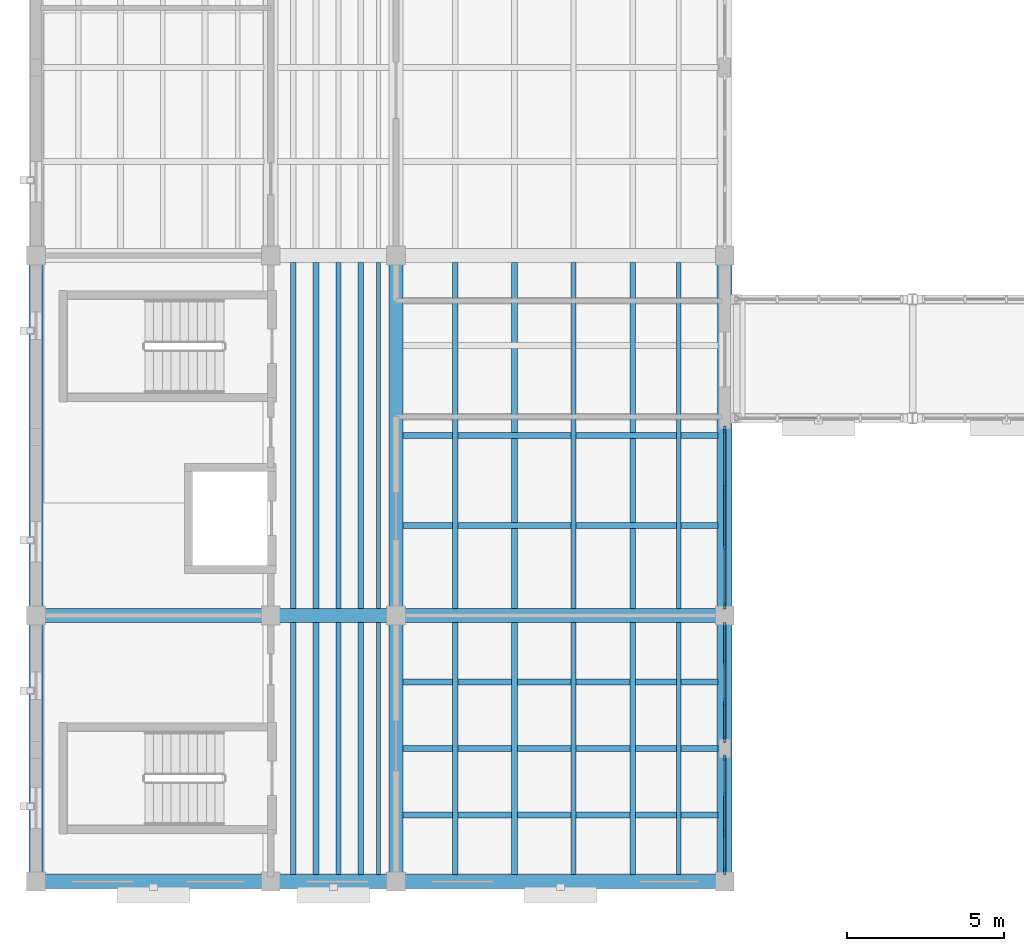
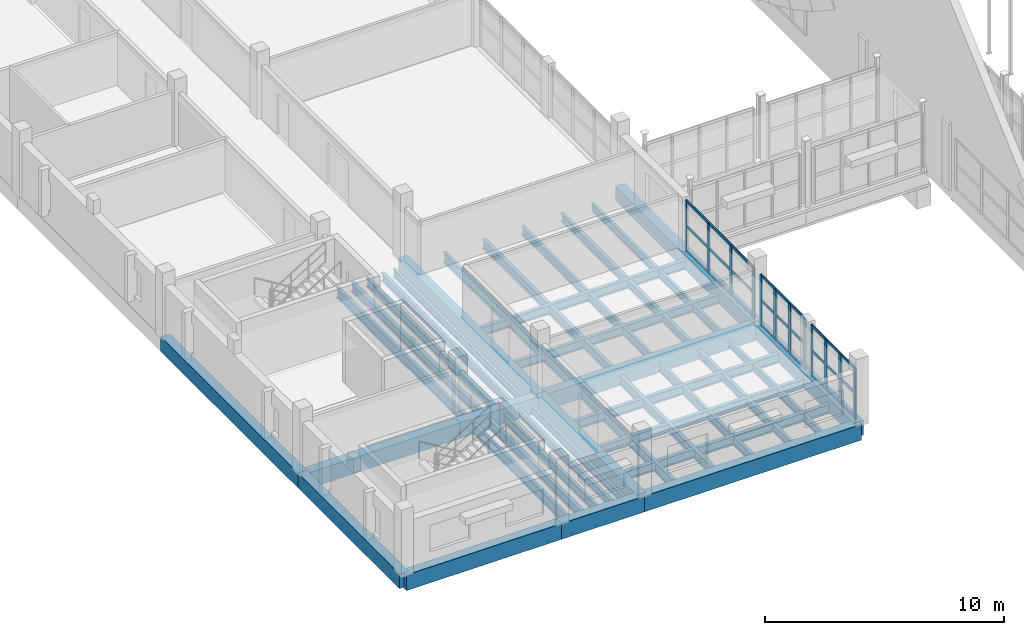
# One storey, part 10 of 77: 37 beams, 21 members, 3 elements without a shape of their own.
"""IFC4 building model written with IfcOpenShell, lengths in metres."""

from ifc_helpers import new_model, si_unit, direction, frame, origin, origin_2d, place, context, subcontext, project, spatial, rectangle, i_section, extrude, material, layer, layer_set, material_profile, profile_set, type_object, element, aggregate, save


model = new_model("IFC4")

# Units and contexts
model_context = context("Model", 3, precision=1e-05, world=origin(), true_north=direction((0.0, 1.0)))
body_context = subcontext(model_context, "Body", "Model", "MODEL_VIEW")
ifc_project = project(units=[si_unit("LENGTHUNIT", "METRE"), si_unit("AREAUNIT", "SQUARE_METRE"), si_unit("VOLUMEUNIT", "CUBIC_METRE"), si_unit("PLANEANGLEUNIT", "RADIAN"), si_unit("MASSUNIT", "GRAM", prefix="KILO")], contexts=[model_context])

# Site, building, storey
site_placement = place(None, origin())
site = spatial("IfcSite", under=ifc_project, at=site_placement, CompositionType="ELEMENT")
building_placement = place(site_placement, origin())
building = spatial("IfcBuilding", under=site, at=building_placement, Name="Trellovar Central Fire Station", CompositionType="ELEMENT")
storey_placement = place(building_placement, frame((0.0, 0.0, 5.85009765625)))
storey = spatial("IfcBuildingStorey", under=building, at=storey_placement, Name="L02", CompositionType="ELEMENT", Elevation=5.85009765625)

# Beams
ifc_material_1 = material(Name="Concrete C40/50", Category="concrete")
ifc_material_profile_1 = material_profile(ifc_material_1, rectangle(XDim=0.449951171875, YDim=0.800048828125, at=origin_2d()), Name="RC450X800")
ifc_profile_set_1 = profile_set([ifc_material_profile_1], Name="Concrete C40/50")
beam_type_1 = type_object("IfcBeamType", Name="BM-G1", PredefinedType="BEAM", material=ifc_profile_set_1)
beam_1_placement = place(storey_placement, frame((1.0, 9.0, -0.400146484375), z_axis=(1.0, 0.0, 0.0), x_axis=(0.0, 1.0, 0.0)))
element("IfcBeam", 1, at=beam_1_placement, inside=storey, type_object=beam_type_1, Name="L02 beam G-1", PredefinedType="BEAM", context=body_context, shape_type="SweptSolid", body=[
    extrude(rectangle(XDim=0.449951171875, YDim=0.800048828125, at=origin_2d()), origin(), (0.0, 0.0, 1.0), 7.5),
])
beam_2_placement = place(storey_placement, frame((8.5, 9.0, -0.400146484375), z_axis=(1.0, 0.0, 0.0), x_axis=(0.0, 1.0, 0.0)))
element("IfcBeam", 2, at=beam_2_placement, inside=storey, type_object=beam_type_1, Name="L02 beam G-1", PredefinedType="BEAM", context=body_context, shape_type="SweptSolid", body=[
    extrude(rectangle(XDim=0.449951171875, YDim=0.800048828125, at=origin_2d()), origin(), (0.0, 0.0, 1.0), 4.0),
])
beam_3_placement = place(storey_placement, frame((12.5, 9.0, -0.400146484375), z_axis=(1.0, 0.0, 0.0), x_axis=(0.0, 1.0, 0.0)))
element("IfcBeam", 3, at=beam_3_placement, inside=storey, type_object=beam_type_1, Name="L02 beam G-1", PredefinedType="BEAM", context=body_context, shape_type="SweptSolid", body=[
    extrude(rectangle(XDim=0.449951171875, YDim=0.800048828125, at=origin_2d()), origin(), (0.0, 0.0, 1.0), 10.5),
])
beam_4_placement = place(storey_placement, frame((1.0, 17.5, -0.400146484375), z_axis=(1.0, 0.0, 0.0), x_axis=(0.0, 1.0, 0.0)))
element("IfcBeam", 4, at=beam_4_placement, inside=storey, type_object=beam_type_1, Name="L02 beam G-1", PredefinedType="BEAM", context=body_context, shape_type="SweptSolid", body=[
    extrude(rectangle(XDim=0.449951171875, YDim=0.800048828125, at=origin_2d()), origin(), (0.0, 0.0, 1.0), 7.5),
])
beam_5_placement = place(storey_placement, frame((8.5, 17.5, -0.400146484375), z_axis=(1.0, 0.0, 0.0), x_axis=(0.0, 1.0, 0.0)))
element("IfcBeam", 5, at=beam_5_placement, inside=storey, type_object=beam_type_1, Name="L02 beam G-1", PredefinedType="BEAM", context=body_context, shape_type="SweptSolid", body=[
    extrude(rectangle(XDim=0.449951171875, YDim=0.800048828125, at=origin_2d()), origin(), (0.0, 0.0, 1.0), 4.0),
])
beam_6_placement = place(storey_placement, frame((12.5, 17.5, -0.400146484375), z_axis=(1.0, 0.0, 0.0), x_axis=(0.0, 1.0, 0.0)))
element("IfcBeam", 6, at=beam_6_placement, inside=storey, type_object=beam_type_1, Name="L02 beam G-1", PredefinedType="BEAM", context=body_context, shape_type="SweptSolid", body=[
    extrude(rectangle(XDim=0.449951171875, YDim=0.800048828125, at=origin_2d()), origin(), (0.0, 0.0, 1.0), 10.5),
])
ifc_material_2 = material(Name="Concrete C40/50", Category="concrete")
ifc_material_profile_2 = material_profile(ifc_material_2, rectangle(XDim=0.449951171875, YDim=0.75, at=origin_2d()), Name="RC450X750")
ifc_profile_set_2 = profile_set([ifc_material_profile_2], Name="Concrete C40/50")
beam_type_2 = type_object("IfcBeamType", Name="BM-G2", PredefinedType="BEAM", material=ifc_profile_set_2)
beam_7_placement = place(storey_placement, frame((1.0, 9.0, -0.375), z_axis=(0.0, 1.0, 0.0), x_axis=(-1.0, 0.0, 0.0)))
element("IfcBeam", 7, at=beam_7_placement, inside=storey, type_object=beam_type_2, Name="L02 beam G-2", PredefinedType="BEAM", context=body_context, shape_type="SweptSolid", body=[
    extrude(rectangle(XDim=0.449951171875, YDim=0.75, at=origin_2d()), origin(), (0.0, 0.0, 1.0), 8.5),
])
beam_8_placement = place(storey_placement, frame((1.0, 17.5, -0.375), z_axis=(0.0, 1.0, 0.0), x_axis=(-1.0, 0.0, 0.0)))
element("IfcBeam", 8, at=beam_8_placement, inside=storey, type_object=beam_type_2, Name="L02 beam G-2", PredefinedType="BEAM", context=body_context, shape_type="SweptSolid", body=[
    extrude(rectangle(XDim=0.449951171875, YDim=0.75, at=origin_2d()), origin(), (0.0, 0.0, 1.0), 11.5),
])
beam_9_placement = place(storey_placement, frame((12.5, 9.0, -0.375), z_axis=(0.0, 1.0, 0.0), x_axis=(-1.0, 0.0, 0.0)))
element("IfcBeam", 9, at=beam_9_placement, inside=storey, type_object=beam_type_2, Name="L02 beam G-2", PredefinedType="BEAM", context=body_context, shape_type="SweptSolid", body=[
    extrude(rectangle(XDim=0.449951171875, YDim=0.75, at=origin_2d()), origin(), (0.0, 0.0, 1.0), 8.5),
])
beam_10_placement = place(storey_placement, frame((12.5, 17.5, -0.375), z_axis=(0.0, 1.0, 0.0), x_axis=(-1.0, 0.0, 0.0)))
element("IfcBeam", 10, at=beam_10_placement, inside=storey, type_object=beam_type_2, Name="L02 beam G-2", PredefinedType="BEAM", context=body_context, shape_type="SweptSolid", body=[
    extrude(rectangle(XDim=0.449951171875, YDim=0.75, at=origin_2d()), origin(), (0.0, 0.0, 1.0), 11.5),
])
beam_11_placement = place(storey_placement, frame((23.0, 9.0, -0.375), z_axis=(0.0, 1.0, 0.0), x_axis=(-1.0, 0.0, 0.0)))
element("IfcBeam", 11, at=beam_11_placement, inside=storey, type_object=beam_type_2, Name="L02 beam G-2", PredefinedType="BEAM", context=body_context, shape_type="SweptSolid", body=[
    extrude(rectangle(XDim=0.449951171875, YDim=0.75, at=origin_2d()), origin(), (0.0, 0.0, 1.0), 8.5),
])
beam_12_placement = place(storey_placement, frame((23.0, 17.5, -0.375), z_axis=(0.0, 1.0, 0.0), x_axis=(-1.0, 0.0, 0.0)))
element("IfcBeam", 12, at=beam_12_placement, inside=storey, type_object=beam_type_2, Name="L02 beam G-2", PredefinedType="BEAM", context=body_context, shape_type="SweptSolid", body=[
    extrude(rectangle(XDim=0.449951171875, YDim=0.75, at=origin_2d()), origin(), (0.0, 0.0, 1.0), 11.5),
])
ifc_material_3 = material(Name="Steel ASTM A992 Grade 50", Category="steel")
ifc_material_profile_3 = material_profile(ifc_material_3, i_section(OverallWidth=0.15283203125, OverallDepth=0.45458984375, WebThickness=0.008056640625, FlangeThickness=0.01318359375, FilletRadius=0.0126953125, at=origin_2d()), Name="W18X40")
ifc_profile_set_3 = profile_set([ifc_material_profile_3], Name="Steel ASTM A992 Grade 50")
beam_type_3 = type_object("IfcBeamType", Name="BM-SW10", PredefinedType="JOIST", material=ifc_profile_set_3)
beam_13_placement = place(storey_placement, frame((10.659912109375, 9.219970703125, -0.487548828125), z_axis=(0.0, 1.0, 0.0), x_axis=(-1.0, 0.0, 0.0)))
element("IfcBeam", 13, at=beam_13_placement, inside=storey, type_object=beam_type_3, Name="L02 secondary steel deck joist", PredefinedType="JOIST", context=body_context, shape_type="SweptSolid", body=[
    extrude(i_section(OverallWidth=0.15283203125, OverallDepth=0.45458984375, WebThickness=0.008056640625, FlangeThickness=0.01318359375, FilletRadius=0.0126953125, at=origin_2d()), origin(), (0.0, 0.0, 1.0), 8.06005859375),
])
beam_14_placement = place(storey_placement, frame((10.659912109375, 17.719970703125, -0.487548828125), z_axis=(0.0, 1.0, 0.0), x_axis=(-1.0, 0.0, 0.0)))
element("IfcBeam", 14, at=beam_14_placement, inside=storey, type_object=beam_type_3, Name="L02 secondary steel deck joist", PredefinedType="JOIST", context=body_context, shape_type="SweptSolid", body=[
    extrude(i_section(OverallWidth=0.15283203125, OverallDepth=0.45458984375, WebThickness=0.008056640625, FlangeThickness=0.01318359375, FilletRadius=0.0126953125, at=origin_2d()), origin(), (0.0, 0.0, 1.0), 11.06005859375),
])
beam_15_placement = place(storey_placement, frame((18.169921875, 9.219970703125, -0.487548828125), z_axis=(0.0, 1.0, 0.0), x_axis=(-1.0, 0.0, 0.0)))
element("IfcBeam", 15, at=beam_15_placement, inside=storey, type_object=beam_type_3, Name="L02 secondary steel deck joist", PredefinedType="JOIST", context=body_context, shape_type="SweptSolid", body=[
    extrude(i_section(OverallWidth=0.15283203125, OverallDepth=0.45458984375, WebThickness=0.008056640625, FlangeThickness=0.01318359375, FilletRadius=0.0126953125, at=origin_2d()), origin(), (0.0, 0.0, 1.0), 8.06005859375),
])
beam_16_placement = place(storey_placement, frame((18.169921875, 17.719970703125, -0.487548828125), z_axis=(0.0, 1.0, 0.0), x_axis=(-1.0, 0.0, 0.0)))
element("IfcBeam", 16, at=beam_16_placement, inside=storey, type_object=beam_type_3, Name="L02 secondary steel deck joist", PredefinedType="JOIST", context=body_context, shape_type="SweptSolid", body=[
    extrude(i_section(OverallWidth=0.15283203125, OverallDepth=0.45458984375, WebThickness=0.008056640625, FlangeThickness=0.01318359375, FilletRadius=0.0126953125, at=origin_2d()), origin(), (0.0, 0.0, 1.0), 11.06005859375),
])
ifc_material_4 = material(Name="Steel ASTM A992 Grade 50", Category="steel")
ifc_material_profile_4 = material_profile(ifc_material_4, i_section(OverallWidth=0.177490234375, OverallDepth=0.40380859375, WebThickness=0.007568359375, FlangeThickness=0.010986328125, FilletRadius=0.011474609375, at=origin_2d()), Name="W16X36")
ifc_profile_set_4 = profile_set([ifc_material_profile_4], Name="Steel ASTM A992 Grade 50")
beam_type_4 = type_object("IfcBeamType", Name="BM-SW11", PredefinedType="JOIST", material=ifc_profile_set_4)
beam_17_placement = place(storey_placement, frame((11.3798828125, 9.219970703125, -0.462158203125), z_axis=(0.0, 1.0, 0.0), x_axis=(-1.0, 0.0, 0.0)))
element("IfcBeam", 17, at=beam_17_placement, inside=storey, type_object=beam_type_4, Name="L02 secondary steel deck joist", PredefinedType="JOIST", context=body_context, shape_type="SweptSolid", body=[
    extrude(i_section(OverallWidth=0.177490234375, OverallDepth=0.40380859375, WebThickness=0.007568359375, FlangeThickness=0.010986328125, FilletRadius=0.011474609375, at=origin_2d()), origin(), (0.0, 0.0, 1.0), 8.06005859375),
])
beam_18_placement = place(storey_placement, frame((11.3798828125, 17.719970703125, -0.462158203125), z_axis=(0.0, 1.0, 0.0), x_axis=(-1.0, 0.0, 0.0)))
element("IfcBeam", 18, at=beam_18_placement, inside=storey, type_object=beam_type_4, Name="L02 secondary steel deck joist", PredefinedType="JOIST", context=body_context, shape_type="SweptSolid", body=[
    extrude(i_section(OverallWidth=0.177490234375, OverallDepth=0.40380859375, WebThickness=0.007568359375, FlangeThickness=0.010986328125, FilletRadius=0.011474609375, at=origin_2d()), origin(), (0.0, 0.0, 1.0), 11.06005859375),
])
beam_19_placement = place(storey_placement, frame((20.06005859375, 9.219970703125, -0.462158203125), z_axis=(0.0, 1.0, 0.0), x_axis=(-1.0, 0.0, 0.0)))
element("IfcBeam", 19, at=beam_19_placement, inside=storey, type_object=beam_type_4, Name="L02 secondary steel deck joist", PredefinedType="JOIST", context=body_context, shape_type="SweptSolid", body=[
    extrude(i_section(OverallWidth=0.177490234375, OverallDepth=0.40380859375, WebThickness=0.007568359375, FlangeThickness=0.010986328125, FilletRadius=0.011474609375, at=origin_2d()), origin(), (0.0, 0.0, 1.0), 8.06005859375),
])
beam_20_placement = place(storey_placement, frame((20.06005859375, 17.719970703125, -0.462158203125), z_axis=(0.0, 1.0, 0.0), x_axis=(-1.0, 0.0, 0.0)))
element("IfcBeam", 20, at=beam_20_placement, inside=storey, type_object=beam_type_4, Name="L02 secondary steel deck joist", PredefinedType="JOIST", context=body_context, shape_type="SweptSolid", body=[
    extrude(i_section(OverallWidth=0.177490234375, OverallDepth=0.40380859375, WebThickness=0.007568359375, FlangeThickness=0.010986328125, FilletRadius=0.011474609375, at=origin_2d()), origin(), (0.0, 0.0, 1.0), 11.06005859375),
])
ifc_material_5 = material(Name="Steel ASTM A992 Grade 50", Category="steel")
ifc_material_profile_5 = material_profile(ifc_material_5, i_section(OverallWidth=0.140380859375, OverallDepth=0.4033203125, WebThickness=0.007080078125, FlangeThickness=0.01123046875, FilletRadius=0.011474609375, at=origin_2d()), Name="W16X31")
ifc_profile_set_5 = profile_set([ifc_material_profile_5], Name="Steel ASTM A992 Grade 50")
beam_type_5 = type_object("IfcBeamType", Name="BM-SW12", PredefinedType="JOIST", material=ifc_profile_set_5)
beam_21_placement = place(storey_placement, frame((11.93994140625, 9.219970703125, -0.4619140625), z_axis=(0.0, 1.0, 0.0), x_axis=(-1.0, 0.0, 0.0)))
element("IfcBeam", 21, at=beam_21_placement, inside=storey, type_object=beam_type_5, Name="L02 secondary steel deck joist", PredefinedType="JOIST", context=body_context, shape_type="SweptSolid", body=[
    extrude(i_section(OverallWidth=0.140380859375, OverallDepth=0.4033203125, WebThickness=0.007080078125, FlangeThickness=0.01123046875, FilletRadius=0.011474609375, at=origin_2d()), origin(), (0.0, 0.0, 1.0), 8.06005859375),
])
beam_22_placement = place(storey_placement, frame((11.93994140625, 17.719970703125, -0.4619140625), z_axis=(0.0, 1.0, 0.0), x_axis=(-1.0, 0.0, 0.0)))
element("IfcBeam", 22, at=beam_22_placement, inside=storey, type_object=beam_type_5, Name="L02 secondary steel deck joist", PredefinedType="JOIST", context=body_context, shape_type="SweptSolid", body=[
    extrude(i_section(OverallWidth=0.140380859375, OverallDepth=0.4033203125, WebThickness=0.007080078125, FlangeThickness=0.01123046875, FilletRadius=0.011474609375, at=origin_2d()), origin(), (0.0, 0.0, 1.0), 11.06005859375),
])
beam_23_placement = place(storey_placement, frame((21.530029296875, 9.219970703125, -0.4619140625), z_axis=(0.0, 1.0, 0.0), x_axis=(-1.0, 0.0, 0.0)))
element("IfcBeam", 23, at=beam_23_placement, inside=storey, type_object=beam_type_5, Name="L02 secondary steel deck joist", PredefinedType="JOIST", context=body_context, shape_type="SweptSolid", body=[
    extrude(i_section(OverallWidth=0.140380859375, OverallDepth=0.4033203125, WebThickness=0.007080078125, FlangeThickness=0.01123046875, FilletRadius=0.011474609375, at=origin_2d()), origin(), (0.0, 0.0, 1.0), 8.06005859375),
])
beam_24_placement = place(storey_placement, frame((21.530029296875, 17.719970703125, -0.4619140625), z_axis=(0.0, 1.0, 0.0), x_axis=(-1.0, 0.0, 0.0)))
element("IfcBeam", 24, at=beam_24_placement, inside=storey, type_object=beam_type_5, Name="L02 secondary steel deck joist", PredefinedType="JOIST", context=body_context, shape_type="SweptSolid", body=[
    extrude(i_section(OverallWidth=0.140380859375, OverallDepth=0.4033203125, WebThickness=0.007080078125, FlangeThickness=0.01123046875, FilletRadius=0.011474609375, at=origin_2d()), origin(), (0.0, 0.0, 1.0), 11.06005859375),
])
ifc_material_6 = material(Name="Steel ASTM A992 Grade 50", Category="steel")
ifc_material_profile_6 = material_profile(ifc_material_6, i_section(OverallWidth=0.166015625, OverallDepth=0.529052734375, WebThickness=0.009765625, FlangeThickness=0.013671875, FilletRadius=0.013916015625, at=origin_2d()), Name="W21X50")
ifc_profile_set_6 = profile_set([ifc_material_profile_6], Name="Steel ASTM A992 Grade 50")
beam_type_6 = type_object("IfcBeamType", Name="BM-SW8", PredefinedType="JOIST", material=ifc_profile_set_6)
beam_25_placement = place(storey_placement, frame((9.219970703125, 9.219970703125, -0.524658203125), z_axis=(0.0, 1.0, 0.0), x_axis=(-1.0, 0.0, 0.0)))
element("IfcBeam", 25, at=beam_25_placement, inside=storey, type_object=beam_type_6, Name="L02 secondary steel deck joist", PredefinedType="JOIST", context=body_context, shape_type="SweptSolid", body=[
    extrude(i_section(OverallWidth=0.166015625, OverallDepth=0.529052734375, WebThickness=0.009765625, FlangeThickness=0.013671875, FilletRadius=0.013916015625, at=origin_2d()), origin(), (0.0, 0.0, 1.0), 8.06005859375),
])
beam_26_placement = place(storey_placement, frame((9.219970703125, 17.719970703125, -0.524658203125), z_axis=(0.0, 1.0, 0.0), x_axis=(-1.0, 0.0, 0.0)))
element("IfcBeam", 26, at=beam_26_placement, inside=storey, type_object=beam_type_6, Name="L02 secondary steel deck joist", PredefinedType="JOIST", context=body_context, shape_type="SweptSolid", body=[
    extrude(i_section(OverallWidth=0.166015625, OverallDepth=0.529052734375, WebThickness=0.009765625, FlangeThickness=0.013671875, FilletRadius=0.013916015625, at=origin_2d()), origin(), (0.0, 0.0, 1.0), 11.06005859375),
])
beam_27_placement = place(storey_placement, frame((14.389892578125, 9.219970703125, -0.524658203125), z_axis=(0.0, 1.0, 0.0), x_axis=(-1.0, 0.0, 0.0)))
element("IfcBeam", 27, at=beam_27_placement, inside=storey, type_object=beam_type_6, Name="L02 secondary steel deck joist", PredefinedType="JOIST", context=body_context, shape_type="SweptSolid", body=[
    extrude(i_section(OverallWidth=0.166015625, OverallDepth=0.529052734375, WebThickness=0.009765625, FlangeThickness=0.013671875, FilletRadius=0.013916015625, at=origin_2d()), origin(), (0.0, 0.0, 1.0), 8.06005859375),
])
beam_28_placement = place(storey_placement, frame((14.389892578125, 17.719970703125, -0.524658203125), z_axis=(0.0, 1.0, 0.0), x_axis=(-1.0, 0.0, 0.0)))
element("IfcBeam", 28, at=beam_28_placement, inside=storey, type_object=beam_type_6, Name="L02 secondary steel deck joist", PredefinedType="JOIST", context=body_context, shape_type="SweptSolid", body=[
    extrude(i_section(OverallWidth=0.166015625, OverallDepth=0.529052734375, WebThickness=0.009765625, FlangeThickness=0.013671875, FilletRadius=0.013916015625, at=origin_2d()), origin(), (0.0, 0.0, 1.0), 11.06005859375),
])
ifc_material_7 = material(Name="Steel ASTM A992 Grade 50", Category="steel")
ifc_material_profile_7 = material_profile(ifc_material_7, i_section(OverallWidth=0.1904296875, OverallDepth=0.457275390625, WebThickness=0.009033203125, FlangeThickness=0.014404296875, FilletRadius=0.0126953125, at=origin_2d()), Name="W18X50")
ifc_profile_set_7 = profile_set([ifc_material_profile_7], Name="Steel ASTM A992 Grade 50")
beam_type_7 = type_object("IfcBeamType", Name="BM-SW9", PredefinedType="JOIST", material=ifc_profile_set_7)
for number, where, z_axis, x_axis, name in (
    (29, (12.719970703125, 11.125, -0.48876953125), (1.0, 0.0, 0.0), (0.0, 1.0, 0.0), "L02 beam SB-9"),
    (30, (12.719970703125, 13.25, -0.48876953125), (1.0, 0.0, 0.0), (0.0, 1.0, 0.0), "L02 beam SB-9"),
    (31, (12.719970703125, 15.375, -0.48876953125), (1.0, 0.0, 0.0), (0.0, 1.0, 0.0), "L02 beam SB-9"),
    (32, (12.719970703125, 20.375, -0.48876953125), (1.0, 0.0, 0.0), (0.0, 1.0, 0.0), "L02 beam SB-9"),
    (33, (12.719970703125, 23.25, -0.48876953125), (1.0, 0.0, 0.0), (0.0, 1.0, 0.0), "L02 beam SB-9"),
):
    element("IfcBeam", number, at=place(storey_placement, frame(where, z_axis=z_axis, x_axis=x_axis)), inside=storey, type_object=beam_type_7, Name=name, PredefinedType="JOIST", context=body_context, shape_type="SweptSolid", body=[
        extrude(i_section(OverallWidth=0.1904296875, OverallDepth=0.457275390625, WebThickness=0.009033203125, FlangeThickness=0.014404296875, FilletRadius=0.0126953125, at=origin_2d()), origin(), (0.0, 0.0, 1.0), 10.06005859375),
    ])
beam_29_placement = place(storey_placement, frame((9.93994140625, 9.219970703125, -0.48876953125), z_axis=(0.0, 1.0, 0.0), x_axis=(-1.0, 0.0, 0.0)))
element("IfcBeam", 34, at=beam_29_placement, inside=storey, type_object=beam_type_7, Name="L02 secondary steel deck joist", PredefinedType="JOIST", context=body_context, shape_type="SweptSolid", body=[
    extrude(i_section(OverallWidth=0.1904296875, OverallDepth=0.457275390625, WebThickness=0.009033203125, FlangeThickness=0.014404296875, FilletRadius=0.0126953125, at=origin_2d()), origin(), (0.0, 0.0, 1.0), 8.06005859375),
])
beam_30_placement = place(storey_placement, frame((9.93994140625, 17.719970703125, -0.48876953125), z_axis=(0.0, 1.0, 0.0), x_axis=(-1.0, 0.0, 0.0)))
element("IfcBeam", 35, at=beam_30_placement, inside=storey, type_object=beam_type_7, Name="L02 secondary steel deck joist", PredefinedType="JOIST", context=body_context, shape_type="SweptSolid", body=[
    extrude(i_section(OverallWidth=0.1904296875, OverallDepth=0.457275390625, WebThickness=0.009033203125, FlangeThickness=0.014404296875, FilletRadius=0.0126953125, at=origin_2d()), origin(), (0.0, 0.0, 1.0), 11.06005859375),
])
beam_31_placement = place(storey_placement, frame((16.280029296875, 9.219970703125, -0.48876953125), z_axis=(0.0, 1.0, 0.0), x_axis=(-1.0, 0.0, 0.0)))
element("IfcBeam", 36, at=beam_31_placement, inside=storey, type_object=beam_type_7, Name="L02 secondary steel deck joist", PredefinedType="JOIST", context=body_context, shape_type="SweptSolid", body=[
    extrude(i_section(OverallWidth=0.1904296875, OverallDepth=0.457275390625, WebThickness=0.009033203125, FlangeThickness=0.014404296875, FilletRadius=0.0126953125, at=origin_2d()), origin(), (0.0, 0.0, 1.0), 8.06005859375),
])
beam_32_placement = place(storey_placement, frame((16.280029296875, 17.719970703125, -0.48876953125), z_axis=(0.0, 1.0, 0.0), x_axis=(-1.0, 0.0, 0.0)))
element("IfcBeam", 37, at=beam_32_placement, inside=storey, type_object=beam_type_7, Name="L02 secondary steel deck joist", PredefinedType="JOIST", context=body_context, shape_type="SweptSolid", body=[
    extrude(i_section(OverallWidth=0.1904296875, OverallDepth=0.457275390625, WebThickness=0.009033203125, FlangeThickness=0.014404296875, FilletRadius=0.0126953125, at=origin_2d()), origin(), (0.0, 0.0, 1.0), 11.06005859375),
])

# Curtain wall, members
ifc_material_8 = material(Name="Thermally broken bronze anodized aluminum", Category="aluminium")
ifc_layer_1 = layer(ifc_material_8, 0.159912109375)
ifc_layer_set_1 = layer_set([ifc_layer_1], Name="Thermally broken bronze anodized aluminum")
curtain_wall_type_1 = type_object("IfcCurtainWallType", Name="CW-01", PredefinedType="NOTDEFINED", material=ifc_layer_set_1)
curtain_wall_1_placement = place(storey_placement, origin())
curtain_wall_1 = element("IfcCurtainWall", 38, at=curtain_wall_1_placement, inside=storey, type_object=curtain_wall_type_1, Name="L02 curtain wall CW-1", PredefinedType="NOTDEFINED")
ifc_material_9 = material(Name="Thermally broken bronze anodized aluminum", Category="aluminium")
ifc_material_profile_8 = material_profile(ifc_material_9, rectangle(XDim=0.074951171875, YDim=0.199951171875, at=origin_2d()), Name="ALU75X200")
ifc_profile_set_8 = profile_set([ifc_material_profile_8], Name="Thermally broken bronze anodized aluminum")
member_type_1 = type_object("IfcMemberType", Name="CWM-1", PredefinedType="MULLION", material=ifc_profile_set_8)
member_1_placement = place(storey_placement, frame((23.0, 9.324951171875, 0.0), z_axis=(0.0, 0.0, 1.0), x_axis=(1.0, 0.0, 0.0)))
member_1 = element("IfcMember", 39, at=member_1_placement, type_object=member_type_1, Name="CW3-L02-0036 mullion 1", PredefinedType="MULLION", context=body_context, shape_type="SweptSolid", body=[
    extrude(rectangle(XDim=0.074951171875, YDim=0.199951171875, at=origin_2d()), origin(), (0.0, 0.0, 1.0), 2.5498046875),
])
member_2_placement = place(storey_placement, frame((23.0, 10.533203125, 0.0), z_axis=(0.0, 0.0, 1.0), x_axis=(1.0, 0.0, 0.0)))
member_2 = element("IfcMember", 40, at=member_2_placement, type_object=member_type_1, Name="CW3-L02-0036 mullion 2", PredefinedType="MULLION", context=body_context, shape_type="SweptSolid", body=[
    extrude(rectangle(XDim=0.074951171875, YDim=0.199951171875, at=origin_2d()), origin(), (0.0, 0.0, 1.0), 2.5498046875),
])
member_3_placement = place(storey_placement, frame((23.0, 11.74169921875, 0.0), z_axis=(0.0, 0.0, 1.0), x_axis=(1.0, 0.0, 0.0)))
member_3 = element("IfcMember", 41, at=member_3_placement, type_object=member_type_1, Name="CW3-L02-0036 mullion 3", PredefinedType="MULLION", context=body_context, shape_type="SweptSolid", body=[
    extrude(rectangle(XDim=0.074951171875, YDim=0.199951171875, at=origin_2d()), origin(), (0.0, 0.0, 1.0), 2.5498046875),
])
member_4_placement = place(storey_placement, frame((23.0, 12.949951171875, 0.0), z_axis=(0.0, 0.0, 1.0), x_axis=(1.0, 0.0, 0.0)))
member_4 = element("IfcMember", 42, at=member_4_placement, type_object=member_type_1, Name="CW3-L02-0036 mullion 4", PredefinedType="MULLION", context=body_context, shape_type="SweptSolid", body=[
    extrude(rectangle(XDim=0.074951171875, YDim=0.199951171875, at=origin_2d()), origin(), (0.0, 0.0, 1.0), 2.5498046875),
])

curtain_wall_2_placement = place(storey_placement, origin())
curtain_wall_2 = element("IfcCurtainWall", 43, at=curtain_wall_2_placement, inside=storey, type_object=curtain_wall_type_1, Name="L02 curtain wall CW-1", PredefinedType="NOTDEFINED")
member_5_placement = place(storey_placement, frame((23.0, 13.550048828125, 0.0), z_axis=(0.0, 0.0, 1.0), x_axis=(1.0, 0.0, 0.0)))
member_5 = element("IfcMember", 44, at=member_5_placement, type_object=member_type_1, Name="CW3-L02-0037 mullion 1", PredefinedType="MULLION", context=body_context, shape_type="SweptSolid", body=[
    extrude(rectangle(XDim=0.074951171875, YDim=0.199951171875, at=origin_2d()), origin(), (0.0, 0.0, 1.0), 2.5498046875),
])
member_6_placement = place(storey_placement, frame((23.0, 14.75830078125, 0.0), z_axis=(0.0, 0.0, 1.0), x_axis=(1.0, 0.0, 0.0)))
member_6 = element("IfcMember", 45, at=member_6_placement, type_object=member_type_1, Name="CW3-L02-0037 mullion 2", PredefinedType="MULLION", context=body_context, shape_type="SweptSolid", body=[
    extrude(rectangle(XDim=0.074951171875, YDim=0.199951171875, at=origin_2d()), origin(), (0.0, 0.0, 1.0), 2.5498046875),
])
member_7_placement = place(storey_placement, frame((23.0, 15.966796875, 0.0), z_axis=(0.0, 0.0, 1.0), x_axis=(1.0, 0.0, 0.0)))
member_7 = element("IfcMember", 46, at=member_7_placement, type_object=member_type_1, Name="CW3-L02-0037 mullion 3", PredefinedType="MULLION", context=body_context, shape_type="SweptSolid", body=[
    extrude(rectangle(XDim=0.074951171875, YDim=0.199951171875, at=origin_2d()), origin(), (0.0, 0.0, 1.0), 2.5498046875),
])
member_8_placement = place(storey_placement, frame((23.0, 17.175048828125, 0.0), z_axis=(0.0, 0.0, 1.0), x_axis=(1.0, 0.0, 0.0)))
member_8 = element("IfcMember", 47, at=member_8_placement, type_object=member_type_1, Name="CW3-L02-0037 mullion 4", PredefinedType="MULLION", context=body_context, shape_type="SweptSolid", body=[
    extrude(rectangle(XDim=0.074951171875, YDim=0.199951171875, at=origin_2d()), origin(), (0.0, 0.0, 1.0), 2.5498046875),
])

ifc_material_10 = material(Name="Thermally broken bronze anodized aluminum", Category="aluminium")
ifc_layer_2 = layer(ifc_material_10, 0.159912109375)
ifc_layer_set_2 = layer_set([ifc_layer_2], Name="Thermally broken bronze anodized aluminum")
curtain_wall_type_2 = type_object("IfcCurtainWallType", Name="CW-13", PredefinedType="NOTDEFINED", material=ifc_layer_set_2)
curtain_wall_3_placement = place(storey_placement, origin())
curtain_wall_3 = element("IfcCurtainWall", 48, at=curtain_wall_3_placement, inside=storey, type_object=curtain_wall_type_2, Name="L02 curtain wall CW-13", PredefinedType="NOTDEFINED")
member_9_placement = place(storey_placement, frame((23.0, 17.800048828125, 0.0), z_axis=(0.0, 0.0, 1.0), x_axis=(1.0, 0.0, 0.0)))
member_9 = element("IfcMember", 49, at=member_9_placement, type_object=member_type_1, Name="CW3-L02-0038 mullion 1", PredefinedType="MULLION", context=body_context, shape_type="SweptSolid", body=[
    extrude(rectangle(XDim=0.074951171875, YDim=0.199951171875, at=origin_2d()), origin(), (0.0, 0.0, 1.0), 2.5498046875),
])
member_10_placement = place(storey_placement, frame((23.0, 19.683349609375, 0.0), z_axis=(0.0, 0.0, 1.0), x_axis=(1.0, 0.0, 0.0)))
member_10 = element("IfcMember", 50, at=member_10_placement, type_object=member_type_1, Name="CW3-L02-0038 mullion 2", PredefinedType="MULLION", context=body_context, shape_type="SweptSolid", body=[
    extrude(rectangle(XDim=0.074951171875, YDim=0.199951171875, at=origin_2d()), origin(), (0.0, 0.0, 1.0), 2.5498046875),
])
member_11_placement = place(storey_placement, frame((23.0, 21.566650390625, 0.0), z_axis=(0.0, 0.0, 1.0), x_axis=(1.0, 0.0, 0.0)))
member_11 = element("IfcMember", 51, at=member_11_placement, type_object=member_type_1, Name="CW3-L02-0038 mullion 3", PredefinedType="MULLION", context=body_context, shape_type="SweptSolid", body=[
    extrude(rectangle(XDim=0.074951171875, YDim=0.199951171875, at=origin_2d()), origin(), (0.0, 0.0, 1.0), 2.5498046875),
])
member_12_placement = place(storey_placement, frame((23.0, 23.449951171875, 0.0), z_axis=(0.0, 0.0, 1.0), x_axis=(1.0, 0.0, 0.0)))
member_12 = element("IfcMember", 52, at=member_12_placement, type_object=member_type_1, Name="CW3-L02-0038 mullion 4", PredefinedType="MULLION", context=body_context, shape_type="SweptSolid", body=[
    extrude(rectangle(XDim=0.074951171875, YDim=0.199951171875, at=origin_2d()), origin(), (0.0, 0.0, 1.0), 2.5498046875),
])

# Member
ifc_material_11 = material(Name="Thermally broken bronze anodized aluminum", Category="aluminium")
ifc_material_profile_9 = material_profile(ifc_material_11, rectangle(XDim=0.06005859375, YDim=0.139892578125, at=origin_2d()), Name="ALU60X140")
ifc_profile_set_9 = profile_set([ifc_material_profile_9], Name="Thermally broken bronze anodized aluminum")
member_type_2 = type_object("IfcMemberType", Name="CWT-1", PredefinedType="USERDEFINED", material=ifc_profile_set_9)
member_13_placement = place(storey_placement, frame((23.0, 9.324951171875, 0.0), z_axis=(0.0, 1.0, 0.0), x_axis=(-1.0, 0.0, 0.0)))
member_13 = element("IfcMember", 53, at=member_13_placement, type_object=member_type_2, Name="CW3-L02-0036 transom 1", ObjectType="TRANSOM", PredefinedType="USERDEFINED", context=body_context, shape_type="SweptSolid", body=[
    extrude(rectangle(XDim=0.06005859375, YDim=0.139892578125, at=origin_2d()), origin(), (0.0, 0.0, 1.0), 3.625),
])

member_14_placement = place(storey_placement, frame((23.0, 9.324951171875, 1.27490234375), z_axis=(0.0, 1.0, 0.0), x_axis=(-1.0, 0.0, 0.0)))
member_14 = element("IfcMember", 54, at=member_14_placement, type_object=member_type_2, Name="CW3-L02-0036 transom 2", ObjectType="TRANSOM", PredefinedType="USERDEFINED", context=body_context, shape_type="SweptSolid", body=[
    extrude(rectangle(XDim=0.06005859375, YDim=0.139892578125, at=origin_2d()), origin(), (0.0, 0.0, 1.0), 3.625),
])

member_15_placement = place(storey_placement, frame((23.0, 9.324951171875, 2.5498046875), z_axis=(0.0, 1.0, 0.0), x_axis=(-1.0, 0.0, 0.0)))
member_15 = element("IfcMember", 55, at=member_15_placement, type_object=member_type_2, Name="CW3-L02-0036 transom 3", ObjectType="TRANSOM", PredefinedType="USERDEFINED", context=body_context, shape_type="SweptSolid", body=[
    extrude(rectangle(XDim=0.06005859375, YDim=0.139892578125, at=origin_2d()), origin(), (0.0, 0.0, 1.0), 3.625),
])

aggregate(curtain_wall_1, [member_1, member_2, member_3, member_4, member_13, member_14, member_15])

member_16_placement = place(storey_placement, frame((23.0, 13.550048828125, 0.0), z_axis=(0.0, 1.0, 0.0), x_axis=(-1.0, 0.0, 0.0)))
member_16 = element("IfcMember", 56, at=member_16_placement, type_object=member_type_2, Name="CW3-L02-0037 transom 1", ObjectType="TRANSOM", PredefinedType="USERDEFINED", context=body_context, shape_type="SweptSolid", body=[
    extrude(rectangle(XDim=0.06005859375, YDim=0.139892578125, at=origin_2d()), origin(), (0.0, 0.0, 1.0), 3.625),
])

member_17_placement = place(storey_placement, frame((23.0, 13.550048828125, 1.27490234375), z_axis=(0.0, 1.0, 0.0), x_axis=(-1.0, 0.0, 0.0)))
member_17 = element("IfcMember", 57, at=member_17_placement, type_object=member_type_2, Name="CW3-L02-0037 transom 2", ObjectType="TRANSOM", PredefinedType="USERDEFINED", context=body_context, shape_type="SweptSolid", body=[
    extrude(rectangle(XDim=0.06005859375, YDim=0.139892578125, at=origin_2d()), origin(), (0.0, 0.0, 1.0), 3.625),
])

member_18_placement = place(storey_placement, frame((23.0, 13.550048828125, 2.5498046875), z_axis=(0.0, 1.0, 0.0), x_axis=(-1.0, 0.0, 0.0)))
member_18 = element("IfcMember", 58, at=member_18_placement, type_object=member_type_2, Name="CW3-L02-0037 transom 3", ObjectType="TRANSOM", PredefinedType="USERDEFINED", context=body_context, shape_type="SweptSolid", body=[
    extrude(rectangle(XDim=0.06005859375, YDim=0.139892578125, at=origin_2d()), origin(), (0.0, 0.0, 1.0), 3.625),
])

aggregate(curtain_wall_2, [member_5, member_6, member_7, member_8, member_16, member_17, member_18])

member_19_placement = place(storey_placement, frame((23.0, 17.800048828125, 0.0), z_axis=(0.0, 1.0, 0.0), x_axis=(-1.0, 0.0, 0.0)))
member_19 = element("IfcMember", 59, at=member_19_placement, type_object=member_type_2, Name="CW3-L02-0038 transom 1", ObjectType="TRANSOM", PredefinedType="USERDEFINED", context=body_context, shape_type="SweptSolid", body=[
    extrude(rectangle(XDim=0.06005859375, YDim=0.139892578125, at=origin_2d()), origin(), (0.0, 0.0, 1.0), 5.64990234375),
])

member_20_placement = place(storey_placement, frame((23.0, 17.800048828125, 1.27490234375), z_axis=(0.0, 1.0, 0.0), x_axis=(-1.0, 0.0, 0.0)))
member_20 = element("IfcMember", 60, at=member_20_placement, type_object=member_type_2, Name="CW3-L02-0038 transom 2", ObjectType="TRANSOM", PredefinedType="USERDEFINED", context=body_context, shape_type="SweptSolid", body=[
    extrude(rectangle(XDim=0.06005859375, YDim=0.139892578125, at=origin_2d()), origin(), (0.0, 0.0, 1.0), 5.64990234375),
])

member_21_placement = place(storey_placement, frame((23.0, 17.800048828125, 2.5498046875), z_axis=(0.0, 1.0, 0.0), x_axis=(-1.0, 0.0, 0.0)))
member_21 = element("IfcMember", 61, at=member_21_placement, type_object=member_type_2, Name="CW3-L02-0038 transom 3", ObjectType="TRANSOM", PredefinedType="USERDEFINED", context=body_context, shape_type="SweptSolid", body=[
    extrude(rectangle(XDim=0.06005859375, YDim=0.139892578125, at=origin_2d()), origin(), (0.0, 0.0, 1.0), 5.64990234375),
])

aggregate(curtain_wall_3, [member_9, member_10, member_11, member_12, member_19, member_20, member_21])

save(model, "model.ifc")
